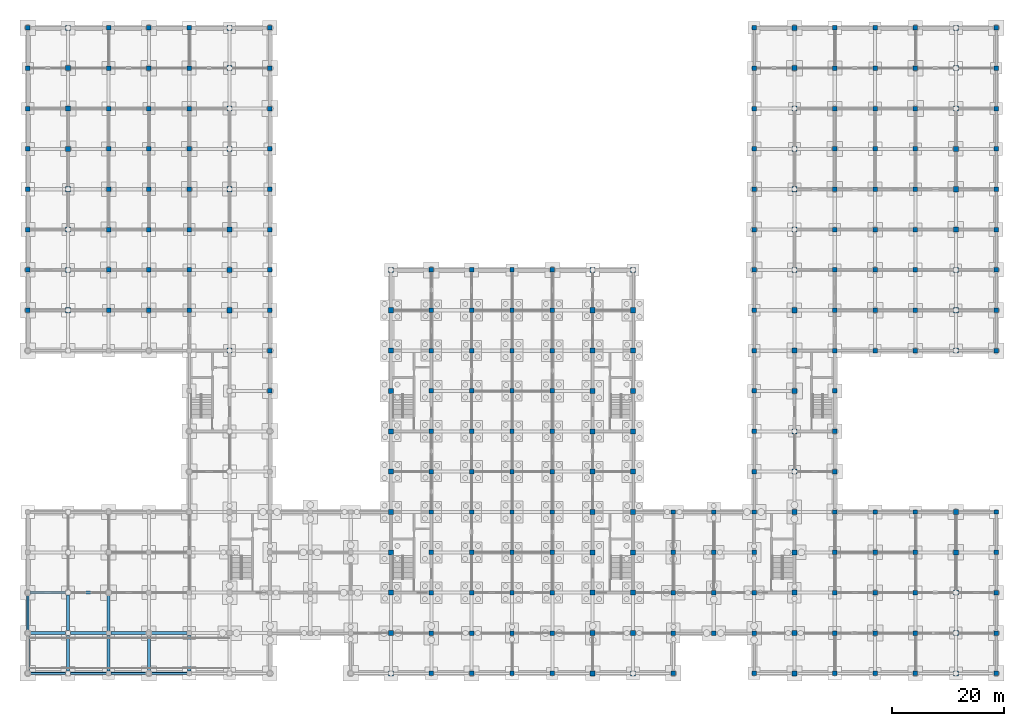
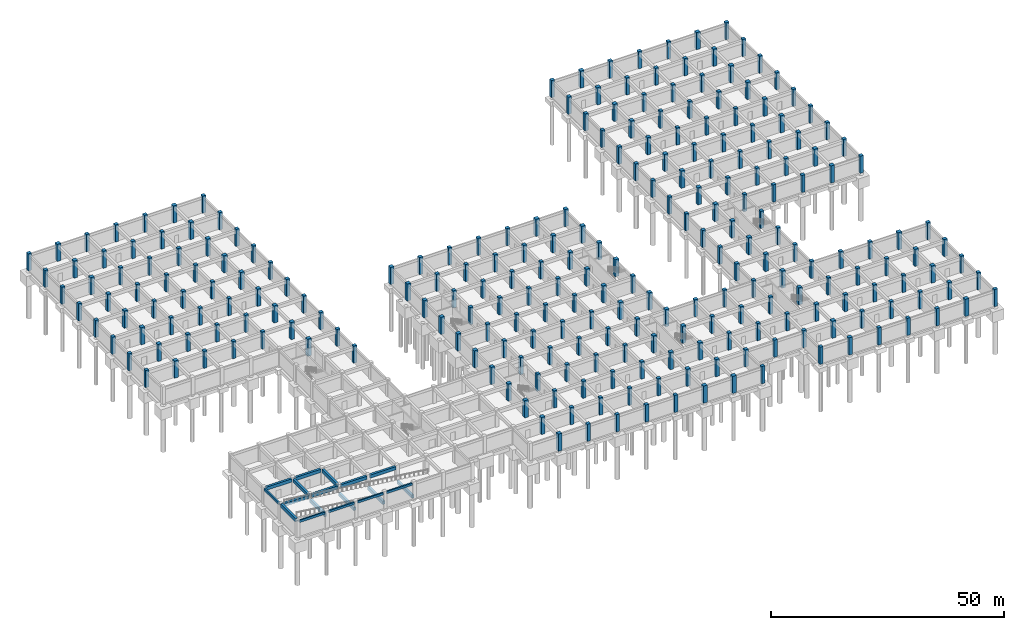
# One storey, part 8 of 25: 252 columns, 18 beams.
"""IFC4 building model written with IfcOpenShell, lengths in metres."""

from ifc_helpers import new_model, si_unit, direction, frame, origin, origin_2d, place, context, subcontext, project, spatial, rectangle, extrude, material, material_profile, profile_set, type_object, element, save


model = new_model("IFC4")

# Units and contexts
model_context = context("Model", 3, precision=1e-05, world=origin(), true_north=direction((0.0, 1.0)))
body_context = subcontext(model_context, "Body", "Model", "MODEL_VIEW")
ifc_project = project(units=[si_unit("LENGTHUNIT", "METRE"), si_unit("AREAUNIT", "SQUARE_METRE"), si_unit("VOLUMEUNIT", "CUBIC_METRE"), si_unit("PLANEANGLEUNIT", "RADIAN"), si_unit("MASSUNIT", "GRAM", prefix="KILO")], contexts=[model_context])

# Site, building, storey
site_placement = place(None, origin())
site = spatial("IfcSite", under=ifc_project, at=site_placement, CompositionType="ELEMENT")
building_placement = place(site_placement, origin())
building = spatial("IfcBuilding", under=site, at=building_placement, Name="Cendaluz Park School", CompositionType="ELEMENT")
storey_placement = place(building_placement, frame((0.0, 0.0, -4.5)))
storey = spatial("IfcBuildingStorey", under=building, at=storey_placement, Name="B1", CompositionType="ELEMENT", Elevation=-4.5)

# Columns
ifc_material = material(Name="Concrete C40/50", Category="concrete")
ifc_material_profile_1 = material_profile(ifc_material, rectangle(XDim=0.89990234375, YDim=0.89990234375, at=origin_2d()), Name="RC 900x900", Category="concrete")
ifc_profile_set_1 = profile_set([ifc_material_profile_1], Name="Concrete C40/50")
column_type_1 = type_object("IfcColumnType", Name="C-RC01", PredefinedType="COLUMN", material=ifc_profile_set_1)
for number, where, z_axis, x_axis, name in (
    (1, (7.199951171875, 64.800048828125, 0.0), (0.0, 0.0, 1.0), (1.0, 0.0, 0.0), "C-B1-CRC01-021"),
    (2, (7.199951171875, 72.0, 0.0), (0.0, 0.0, 1.0), (1.0, 0.0, 0.0), "C-B1-CRC01-022"),
    (3, (7.199951171875, 79.199951171875, 0.0), (0.0, 0.0, 1.0), (1.0, 0.0, 0.0), "C-B1-CRC01-023"),
    (4, (7.199951171875, 86.39990234375, 0.0), (0.0, 0.0, 1.0), (1.0, 0.0, 0.0), "C-B1-CRC01-024"),
    (5, (7.199951171875, 93.60009765625, 0.0), (0.0, 0.0, 1.0), (1.0, 0.0, 0.0), "C-B1-CRC01-025"),
    (6, (7.199951171875, 100.800048828125, 0.0), (0.0, 0.0, 1.0), (1.0, 0.0, 0.0), "C-B1-CRC01-026"),
    (7, (7.199951171875, 108.0, 0.0), (0.0, 0.0, 1.0), (1.0, 0.0, 0.0), "C-B1-CRC01-027"),
    (8, (7.199951171875, 115.199951171875, 0.0), (0.0, 0.0, 1.0), (1.0, 0.0, 0.0), "C-B1-CRC01-028"),
    (9, (36.0, 57.60009765625, 0.0), (0.0, 0.0, 1.0), (1.0, 0.0, 0.0), "C-B1-CRC01-082"),
    (10, (36.0, 64.800048828125, 0.0), (0.0, 0.0, 1.0), (1.0, 0.0, 0.0), "C-B1-CRC01-083"),
    (11, (36.0, 72.0, 0.0), (0.0, 0.0, 1.0), (1.0, 0.0, 0.0), "C-B1-CRC01-084"),
    (12, (36.0, 79.199951171875, 0.0), (0.0, 0.0, 1.0), (1.0, 0.0, 0.0), "C-B1-CRC01-085"),
    (13, (36.0, 86.39990234375, 0.0), (0.0, 0.0, 1.0), (1.0, 0.0, 0.0), "C-B1-CRC01-086"),
    (14, (36.0, 93.60009765625, 0.0), (0.0, 0.0, 1.0), (1.0, 0.0, 0.0), "C-B1-CRC01-087"),
    (15, (36.0, 100.800048828125, 0.0), (0.0, 0.0, 1.0), (1.0, 0.0, 0.0), "C-B1-CRC01-088"),
    (16, (36.0, 108.0, 0.0), (0.0, 0.0, 1.0), (1.0, 0.0, 0.0), "C-B1-CRC01-089"),
    (17, (36.0, 115.199951171875, 0.0), (0.0, 0.0, 1.0), (1.0, 0.0, 0.0), "C-B1-CRC01-090"),
    (18, (64.800048828125, 0.0, 0.0), (0.0, 0.0, 1.0), (1.0, 0.0, 0.0), "C-B1-CRC01-117"),
    (19, (64.800048828125, 7.199951171875, 0.0), (0.0, 0.0, 1.0), (1.0, 0.0, 0.0), "C-B1-CRC01-118"),
    (20, (64.800048828125, 14.39990234375, 0.0), (0.0, 0.0, 1.0), (1.0, 0.0, 0.0), "C-B1-CRC01-119"),
    (21, (64.800048828125, 21.60009765625, 0.0), (0.0, 0.0, 1.0), (1.0, 0.0, 0.0), "C-B1-CRC01-120"),
    (22, (64.800048828125, 28.800048828125, 0.0), (0.0, 0.0, 1.0), (1.0, 0.0, 0.0), "C-B1-CRC01-121"),
    (23, (64.800048828125, 36.0, 0.0), (0.0, 0.0, 1.0), (1.0, 0.0, 0.0), "C-B1-CRC01-122"),
    (24, (64.800048828125, 43.199951171875, 0.0), (0.0, 0.0, 1.0), (1.0, 0.0, 0.0), "C-B1-CRC01-123"),
    (25, (64.800048828125, 50.39990234375, 0.0), (0.0, 0.0, 1.0), (1.0, 0.0, 0.0), "C-B1-CRC01-124"),
    (26, (64.800048828125, 57.60009765625, 0.0), (0.0, 0.0, 1.0), (1.0, 0.0, 0.0), "C-B1-CRC01-125"),
    (27, (64.800048828125, 64.800048828125, 0.0), (0.0, 0.0, 1.0), (1.0, 0.0, 0.0), "C-B1-CRC01-126"),
    (28, (64.800048828125, 72.0, 0.0), (0.0, 0.0, 1.0), (1.0, 0.0, 0.0), "C-B1-CRC01-127"),
    (29, (100.800048828125, 0.0, 0.0), (0.0, 0.0, 1.0), (1.0, 0.0, 0.0), "C-B1-CRC01-172"),
    (30, (100.800048828125, 7.199951171875, 0.0), (0.0, 0.0, 1.0), (1.0, 0.0, 0.0), "C-B1-CRC01-173"),
    (31, (100.800048828125, 14.39990234375, 0.0), (0.0, 0.0, 1.0), (1.0, 0.0, 0.0), "C-B1-CRC01-174"),
    (32, (100.800048828125, 21.60009765625, 0.0), (0.0, 0.0, 1.0), (1.0, 0.0, 0.0), "C-B1-CRC01-175"),
    (33, (100.800048828125, 28.800048828125, 0.0), (0.0, 0.0, 1.0), (1.0, 0.0, 0.0), "C-B1-CRC01-176"),
    (34, (100.800048828125, 36.0, 0.0), (0.0, 0.0, 1.0), (1.0, 0.0, 0.0), "C-B1-CRC01-177"),
    (35, (100.800048828125, 43.199951171875, 0.0), (0.0, 0.0, 1.0), (1.0, 0.0, 0.0), "C-B1-CRC01-178"),
    (36, (100.800048828125, 50.39990234375, 0.0), (0.0, 0.0, 1.0), (1.0, 0.0, 0.0), "C-B1-CRC01-179"),
    (37, (100.800048828125, 57.60009765625, 0.0), (0.0, 0.0, 1.0), (1.0, 0.0, 0.0), "C-B1-CRC01-180"),
    (38, (100.800048828125, 64.800048828125, 0.0), (0.0, 0.0, 1.0), (1.0, 0.0, 0.0), "C-B1-CRC01-181"),
    (39, (100.800048828125, 72.0, 0.0), (0.0, 0.0, 1.0), (1.0, 0.0, 0.0), "C-B1-CRC01-182"),
    (40, (108.0, 0.0, 0.0), (0.0, 0.0, 1.0), (1.0, 0.0, 0.0), "C-B1-CRC01-183"),
    (41, (108.0, 7.199951171875, 0.0), (0.0, 0.0, 1.0), (1.0, 0.0, 0.0), "C-B1-CRC01-184"),
    (42, (108.0, 14.39990234375, 0.0), (0.0, 0.0, 1.0), (1.0, 0.0, 0.0), "C-B1-CRC01-185"),
    (43, (108.0, 21.60009765625, 0.0), (0.0, 0.0, 1.0), (1.0, 0.0, 0.0), "C-B1-CRC01-186"),
    (44, (108.0, 28.800048828125, 0.0), (0.0, 0.0, 1.0), (1.0, 0.0, 0.0), "C-B1-CRC01-187"),
    (45, (108.0, 36.0, 0.0), (0.0, 0.0, 1.0), (1.0, 0.0, 0.0), "C-B1-CRC01-188"),
    (46, (108.0, 43.199951171875, 0.0), (0.0, 0.0, 1.0), (1.0, 0.0, 0.0), "C-B1-CRC01-189"),
    (47, (108.0, 50.39990234375, 0.0), (0.0, 0.0, 1.0), (1.0, 0.0, 0.0), "C-B1-CRC01-190"),
    (48, (108.0, 57.60009765625, 0.0), (0.0, 0.0, 1.0), (1.0, 0.0, 0.0), "C-B1-CRC01-191"),
    (49, (108.0, 64.800048828125, 0.0), (0.0, 0.0, 1.0), (1.0, 0.0, 0.0), "C-B1-CRC01-192"),
    (50, (108.0, 72.0, 0.0), (0.0, 0.0, 1.0), (1.0, 0.0, 0.0), "C-B1-CRC01-193"),
    (51, (136.800048828125, 0.0, 0.0), (0.0, 0.0, 1.0), (1.0, 0.0, 0.0), "C-B1-CRC01-220"),
    (52, (136.800048828125, 7.199951171875, 0.0), (0.0, 0.0, 1.0), (1.0, 0.0, 0.0), "C-B1-CRC01-221"),
    (53, (136.800048828125, 14.39990234375, 0.0), (0.0, 0.0, 1.0), (1.0, 0.0, 0.0), "C-B1-CRC01-222"),
    (54, (136.800048828125, 21.60009765625, 0.0), (0.0, 0.0, 1.0), (1.0, 0.0, 0.0), "C-B1-CRC01-223"),
    (55, (136.800048828125, 28.800048828125, 0.0), (0.0, 0.0, 1.0), (1.0, 0.0, 0.0), "C-B1-CRC01-224"),
    (56, (136.800048828125, 36.0, 0.0), (0.0, 0.0, 1.0), (1.0, 0.0, 0.0), "C-B1-CRC01-225"),
    (57, (136.800048828125, 43.199951171875, 0.0), (0.0, 0.0, 1.0), (1.0, 0.0, 0.0), "C-B1-CRC01-226"),
    (58, (136.800048828125, 50.39990234375, 0.0), (0.0, 0.0, 1.0), (1.0, 0.0, 0.0), "C-B1-CRC01-227"),
    (59, (136.800048828125, 57.60009765625, 0.0), (0.0, 0.0, 1.0), (1.0, 0.0, 0.0), "C-B1-CRC01-228"),
    (60, (136.800048828125, 64.800048828125, 0.0), (0.0, 0.0, 1.0), (1.0, 0.0, 0.0), "C-B1-CRC01-229"),
    (61, (136.800048828125, 72.0, 0.0), (0.0, 0.0, 1.0), (1.0, 0.0, 0.0), "C-B1-CRC01-230"),
    (62, (136.800048828125, 79.199951171875, 0.0), (0.0, 0.0, 1.0), (1.0, 0.0, 0.0), "C-B1-CRC01-231"),
    (63, (136.800048828125, 86.39990234375, 0.0), (0.0, 0.0, 1.0), (1.0, 0.0, 0.0), "C-B1-CRC01-232"),
    (64, (136.800048828125, 93.60009765625, 0.0), (0.0, 0.0, 1.0), (1.0, 0.0, 0.0), "C-B1-CRC01-233"),
    (65, (136.800048828125, 100.800048828125, 0.0), (0.0, 0.0, 1.0), (1.0, 0.0, 0.0), "C-B1-CRC01-234"),
    (66, (136.800048828125, 108.0, 0.0), (0.0, 0.0, 1.0), (1.0, 0.0, 0.0), "C-B1-CRC01-235"),
    (67, (136.800048828125, 115.199951171875, 0.0), (0.0, 0.0, 1.0), (1.0, 0.0, 0.0), "C-B1-CRC01-236"),
    (68, (165.60009765625, 0.0, 0.0), (0.0, 0.0, 1.0), (1.0, 0.0, 0.0), "C-B1-CRC01-282"),
    (69, (165.60009765625, 7.199951171875, 0.0), (0.0, 0.0, 1.0), (1.0, 0.0, 0.0), "C-B1-CRC01-283"),
    (70, (165.60009765625, 14.39990234375, 0.0), (0.0, 0.0, 1.0), (1.0, 0.0, 0.0), "C-B1-CRC01-284"),
    (71, (165.60009765625, 21.60009765625, 0.0), (0.0, 0.0, 1.0), (1.0, 0.0, 0.0), "C-B1-CRC01-285"),
    (72, (165.60009765625, 28.800048828125, 0.0), (0.0, 0.0, 1.0), (1.0, 0.0, 0.0), "C-B1-CRC01-286"),
    (73, (165.60009765625, 57.60009765625, 0.0), (0.0, 0.0, 1.0), (1.0, 0.0, 0.0), "C-B1-CRC01-287"),
    (74, (165.60009765625, 64.800048828125, 0.0), (0.0, 0.0, 1.0), (1.0, 0.0, 0.0), "C-B1-CRC01-288"),
    (75, (165.60009765625, 72.0, 0.0), (0.0, 0.0, 1.0), (1.0, 0.0, 0.0), "C-B1-CRC01-289"),
    (76, (165.60009765625, 79.199951171875, 0.0), (0.0, 0.0, 1.0), (1.0, 0.0, 0.0), "C-B1-CRC01-290"),
    (77, (165.60009765625, 86.39990234375, 0.0), (0.0, 0.0, 1.0), (1.0, 0.0, 0.0), "C-B1-CRC01-291"),
    (78, (165.60009765625, 93.60009765625, 0.0), (0.0, 0.0, 1.0), (1.0, 0.0, 0.0), "C-B1-CRC01-292"),
    (79, (165.60009765625, 100.800048828125, 0.0), (0.0, 0.0, 1.0), (1.0, 0.0, 0.0), "C-B1-CRC01-293"),
    (80, (165.60009765625, 108.0, 0.0), (0.0, 0.0, 1.0), (1.0, 0.0, 0.0), "C-B1-CRC01-294"),
    (81, (165.60009765625, 115.199951171875, 0.0), (0.0, 0.0, 1.0), (1.0, 0.0, 0.0), "C-B1-CRC01-295"),
):
    element("IfcColumn", number, at=place(storey_placement, frame(where, z_axis=z_axis, x_axis=x_axis)), inside=storey, type_object=column_type_1, Name=name, PredefinedType="COLUMN", context=body_context, shape_type="SweptSolid", body=[
        extrude(rectangle(XDim=0.89990234375, YDim=0.89990234375, at=origin_2d()), origin(), (0.0, 0.0, 1.0), 4.5),
    ])
ifc_material_profile_2 = material_profile(ifc_material, rectangle(XDim=0.800048828125, YDim=0.800048828125, at=origin_2d()), Name="RC 800x800", Category="concrete")
ifc_profile_set_2 = profile_set([ifc_material_profile_2], Name="Concrete C40/50")
column_type_2 = type_object("IfcColumnType", Name="C-RC02", PredefinedType="COLUMN", material=ifc_profile_set_2)
for number, where, z_axis, x_axis, name in (
    (82, (0.0, 64.800048828125, 0.0), (0.0, 0.0, 1.0), (1.0, 0.0, 0.0), "C-B1-CRC02-007"),
    (83, (0.0, 72.0, 0.0), (0.0, 0.0, 1.0), (1.0, 0.0, 0.0), "C-B1-CRC02-008"),
    (84, (0.0, 79.199951171875, 0.0), (0.0, 0.0, 1.0), (1.0, 0.0, 0.0), "C-B1-CRC02-009"),
    (85, (0.0, 86.39990234375, 0.0), (0.0, 0.0, 1.0), (1.0, 0.0, 0.0), "C-B1-CRC02-010"),
    (86, (0.0, 93.60009765625, 0.0), (0.0, 0.0, 1.0), (1.0, 0.0, 0.0), "C-B1-CRC02-011"),
    (87, (0.0, 100.800048828125, 0.0), (0.0, 0.0, 1.0), (1.0, 0.0, 0.0), "C-B1-CRC02-012"),
    (88, (0.0, 108.0, 0.0), (0.0, 0.0, 1.0), (1.0, 0.0, 0.0), "C-B1-CRC02-013"),
    (89, (0.0, 115.199951171875, 0.0), (0.0, 0.0, 1.0), (1.0, 0.0, 0.0), "C-B1-CRC02-014"),
    (90, (14.39990234375, 64.800048828125, 0.0), (0.0, 0.0, 1.0), (1.0, 0.0, 0.0), "C-B1-CRC02-035"),
    (91, (14.39990234375, 72.0, 0.0), (0.0, 0.0, 1.0), (1.0, 0.0, 0.0), "C-B1-CRC02-036"),
    (92, (14.39990234375, 79.199951171875, 0.0), (0.0, 0.0, 1.0), (1.0, 0.0, 0.0), "C-B1-CRC02-037"),
    (93, (14.39990234375, 86.39990234375, 0.0), (0.0, 0.0, 1.0), (1.0, 0.0, 0.0), "C-B1-CRC02-038"),
    (94, (14.39990234375, 93.60009765625, 0.0), (0.0, 0.0, 1.0), (1.0, 0.0, 0.0), "C-B1-CRC02-039"),
    (95, (14.39990234375, 100.800048828125, 0.0), (0.0, 0.0, 1.0), (1.0, 0.0, 0.0), "C-B1-CRC02-040"),
    (96, (14.39990234375, 108.0, 0.0), (0.0, 0.0, 1.0), (1.0, 0.0, 0.0), "C-B1-CRC02-041"),
    (97, (14.39990234375, 115.199951171875, 0.0), (0.0, 0.0, 1.0), (1.0, 0.0, 0.0), "C-B1-CRC02-042"),
    (98, (21.60009765625, 64.800048828125, 0.0), (0.0, 0.0, 1.0), (1.0, 0.0, 0.0), "C-B1-CRC02-049"),
    (99, (21.60009765625, 72.0, 0.0), (0.0, 0.0, 1.0), (1.0, 0.0, 0.0), "C-B1-CRC02-050"),
    (100, (21.60009765625, 79.199951171875, 0.0), (0.0, 0.0, 1.0), (1.0, 0.0, 0.0), "C-B1-CRC02-051"),
    (101, (21.60009765625, 86.39990234375, 0.0), (0.0, 0.0, 1.0), (1.0, 0.0, 0.0), "C-B1-CRC02-052"),
    (102, (21.60009765625, 93.60009765625, 0.0), (0.0, 0.0, 1.0), (1.0, 0.0, 0.0), "C-B1-CRC02-053"),
    (103, (21.60009765625, 100.800048828125, 0.0), (0.0, 0.0, 1.0), (1.0, 0.0, 0.0), "C-B1-CRC02-054"),
    (104, (21.60009765625, 108.0, 0.0), (0.0, 0.0, 1.0), (1.0, 0.0, 0.0), "C-B1-CRC02-055"),
    (105, (21.60009765625, 115.199951171875, 0.0), (0.0, 0.0, 1.0), (1.0, 0.0, 0.0), "C-B1-CRC02-056"),
    (106, (28.800048828125, 64.800048828125, 0.0), (0.0, 0.0, 1.0), (1.0, 0.0, 0.0), "C-B1-CRC02-066"),
    (107, (28.800048828125, 72.0, 0.0), (0.0, 0.0, 1.0), (1.0, 0.0, 0.0), "C-B1-CRC02-067"),
    (108, (28.800048828125, 79.199951171875, 0.0), (0.0, 0.0, 1.0), (1.0, 0.0, 0.0), "C-B1-CRC02-068"),
    (109, (28.800048828125, 86.39990234375, 0.0), (0.0, 0.0, 1.0), (1.0, 0.0, 0.0), "C-B1-CRC02-069"),
    (110, (28.800048828125, 93.60009765625, 0.0), (0.0, 0.0, 1.0), (1.0, 0.0, 0.0), "C-B1-CRC02-070"),
    (111, (28.800048828125, 100.800048828125, 0.0), (0.0, 0.0, 1.0), (1.0, 0.0, 0.0), "C-B1-CRC02-071"),
    (112, (28.800048828125, 108.0, 0.0), (0.0, 0.0, 1.0), (1.0, 0.0, 0.0), "C-B1-CRC02-072"),
    (113, (28.800048828125, 115.199951171875, 0.0), (0.0, 0.0, 1.0), (1.0, 0.0, 0.0), "C-B1-CRC02-073"),
    (114, (43.199951171875, 50.39990234375, 0.0), (0.0, 0.0, 1.0), (1.0, 0.0, 0.0), "C-B1-CRC02-098"),
    (115, (43.199951171875, 57.60009765625, 0.0), (0.0, 0.0, 1.0), (1.0, 0.0, 0.0), "C-B1-CRC02-099"),
    (116, (43.199951171875, 64.800048828125, 0.0), (0.0, 0.0, 1.0), (1.0, 0.0, 0.0), "C-B1-CRC02-100"),
    (117, (43.199951171875, 72.0, 0.0), (0.0, 0.0, 1.0), (1.0, 0.0, 0.0), "C-B1-CRC02-101"),
    (118, (43.199951171875, 79.199951171875, 0.0), (0.0, 0.0, 1.0), (1.0, 0.0, 0.0), "C-B1-CRC02-102"),
    (119, (43.199951171875, 86.39990234375, 0.0), (0.0, 0.0, 1.0), (1.0, 0.0, 0.0), "C-B1-CRC02-103"),
    (120, (43.199951171875, 93.60009765625, 0.0), (0.0, 0.0, 1.0), (1.0, 0.0, 0.0), "C-B1-CRC02-104"),
    (121, (43.199951171875, 100.800048828125, 0.0), (0.0, 0.0, 1.0), (1.0, 0.0, 0.0), "C-B1-CRC02-105"),
    (122, (43.199951171875, 108.0, 0.0), (0.0, 0.0, 1.0), (1.0, 0.0, 0.0), "C-B1-CRC02-106"),
    (123, (43.199951171875, 115.199951171875, 0.0), (0.0, 0.0, 1.0), (1.0, 0.0, 0.0), "C-B1-CRC02-107"),
    (124, (72.0, 0.0, 0.0), (0.0, 0.0, 1.0), (1.0, 0.0, 0.0), "C-B1-CRC02-128"),
    (125, (72.0, 7.199951171875, 0.0), (0.0, 0.0, 1.0), (1.0, 0.0, 0.0), "C-B1-CRC02-129"),
    (126, (72.0, 14.39990234375, 0.0), (0.0, 0.0, 1.0), (1.0, 0.0, 0.0), "C-B1-CRC02-130"),
    (127, (72.0, 21.60009765625, 0.0), (0.0, 0.0, 1.0), (1.0, 0.0, 0.0), "C-B1-CRC02-131"),
    (128, (72.0, 28.800048828125, 0.0), (0.0, 0.0, 1.0), (1.0, 0.0, 0.0), "C-B1-CRC02-132"),
    (129, (72.0, 36.0, 0.0), (0.0, 0.0, 1.0), (1.0, 0.0, 0.0), "C-B1-CRC02-133"),
    (130, (72.0, 43.199951171875, 0.0), (0.0, 0.0, 1.0), (1.0, 0.0, 0.0), "C-B1-CRC02-134"),
    (131, (72.0, 50.39990234375, 0.0), (0.0, 0.0, 1.0), (1.0, 0.0, 0.0), "C-B1-CRC02-135"),
    (132, (72.0, 57.60009765625, 0.0), (0.0, 0.0, 1.0), (1.0, 0.0, 0.0), "C-B1-CRC02-136"),
    (133, (72.0, 64.800048828125, 0.0), (0.0, 0.0, 1.0), (1.0, 0.0, 0.0), "C-B1-CRC02-137"),
    (134, (72.0, 72.0, 0.0), (0.0, 0.0, 1.0), (1.0, 0.0, 0.0), "C-B1-CRC02-138"),
    (135, (79.199951171875, 0.0, 0.0), (0.0, 0.0, 1.0), (1.0, 0.0, 0.0), "C-B1-CRC02-139"),
    (136, (79.199951171875, 7.199951171875, 0.0), (0.0, 0.0, 1.0), (1.0, 0.0, 0.0), "C-B1-CRC02-140"),
    (137, (79.199951171875, 14.39990234375, 0.0), (0.0, 0.0, 1.0), (1.0, 0.0, 0.0), "C-B1-CRC02-141"),
    (138, (79.199951171875, 21.60009765625, 0.0), (0.0, 0.0, 1.0), (1.0, 0.0, 0.0), "C-B1-CRC02-142"),
    (139, (79.199951171875, 28.800048828125, 0.0), (0.0, 0.0, 1.0), (1.0, 0.0, 0.0), "C-B1-CRC02-143"),
    (140, (79.199951171875, 36.0, 0.0), (0.0, 0.0, 1.0), (1.0, 0.0, 0.0), "C-B1-CRC02-144"),
    (141, (79.199951171875, 43.199951171875, 0.0), (0.0, 0.0, 1.0), (1.0, 0.0, 0.0), "C-B1-CRC02-145"),
    (142, (79.199951171875, 50.39990234375, 0.0), (0.0, 0.0, 1.0), (1.0, 0.0, 0.0), "C-B1-CRC02-146"),
    (143, (79.199951171875, 57.60009765625, 0.0), (0.0, 0.0, 1.0), (1.0, 0.0, 0.0), "C-B1-CRC02-147"),
    (144, (79.199951171875, 64.800048828125, 0.0), (0.0, 0.0, 1.0), (1.0, 0.0, 0.0), "C-B1-CRC02-148"),
    (145, (79.199951171875, 72.0, 0.0), (0.0, 0.0, 1.0), (1.0, 0.0, 0.0), "C-B1-CRC02-149"),
    (146, (86.39990234375, 0.0, 0.0), (0.0, 0.0, 1.0), (1.0, 0.0, 0.0), "C-B1-CRC02-150"),
    (147, (86.39990234375, 7.199951171875, 0.0), (0.0, 0.0, 1.0), (1.0, 0.0, 0.0), "C-B1-CRC02-151"),
    (148, (86.39990234375, 14.39990234375, 0.0), (0.0, 0.0, 1.0), (1.0, 0.0, 0.0), "C-B1-CRC02-152"),
    (149, (86.39990234375, 21.60009765625, 0.0), (0.0, 0.0, 1.0), (1.0, 0.0, 0.0), "C-B1-CRC02-153"),
    (150, (86.39990234375, 28.800048828125, 0.0), (0.0, 0.0, 1.0), (1.0, 0.0, 0.0), "C-B1-CRC02-154"),
    (151, (86.39990234375, 36.0, 0.0), (0.0, 0.0, 1.0), (1.0, 0.0, 0.0), "C-B1-CRC02-155"),
    (152, (86.39990234375, 43.199951171875, 0.0), (0.0, 0.0, 1.0), (1.0, 0.0, 0.0), "C-B1-CRC02-156"),
    (153, (86.39990234375, 50.39990234375, 0.0), (0.0, 0.0, 1.0), (1.0, 0.0, 0.0), "C-B1-CRC02-157"),
    (154, (86.39990234375, 57.60009765625, 0.0), (0.0, 0.0, 1.0), (1.0, 0.0, 0.0), "C-B1-CRC02-158"),
    (155, (86.39990234375, 64.800048828125, 0.0), (0.0, 0.0, 1.0), (1.0, 0.0, 0.0), "C-B1-CRC02-159"),
    (156, (86.39990234375, 72.0, 0.0), (0.0, 0.0, 1.0), (1.0, 0.0, 0.0), "C-B1-CRC02-160"),
    (157, (93.60009765625, 0.0, 0.0), (0.0, 0.0, 1.0), (1.0, 0.0, 0.0), "C-B1-CRC02-161"),
    (158, (93.60009765625, 7.199951171875, 0.0), (0.0, 0.0, 1.0), (1.0, 0.0, 0.0), "C-B1-CRC02-162"),
    (159, (93.60009765625, 14.39990234375, 0.0), (0.0, 0.0, 1.0), (1.0, 0.0, 0.0), "C-B1-CRC02-163"),
    (160, (93.60009765625, 21.60009765625, 0.0), (0.0, 0.0, 1.0), (1.0, 0.0, 0.0), "C-B1-CRC02-164"),
    (161, (93.60009765625, 28.800048828125, 0.0), (0.0, 0.0, 1.0), (1.0, 0.0, 0.0), "C-B1-CRC02-165"),
    (162, (93.60009765625, 36.0, 0.0), (0.0, 0.0, 1.0), (1.0, 0.0, 0.0), "C-B1-CRC02-166"),
    (163, (93.60009765625, 43.199951171875, 0.0), (0.0, 0.0, 1.0), (1.0, 0.0, 0.0), "C-B1-CRC02-167"),
    (164, (93.60009765625, 50.39990234375, 0.0), (0.0, 0.0, 1.0), (1.0, 0.0, 0.0), "C-B1-CRC02-168"),
    (165, (93.60009765625, 57.60009765625, 0.0), (0.0, 0.0, 1.0), (1.0, 0.0, 0.0), "C-B1-CRC02-169"),
    (166, (93.60009765625, 64.800048828125, 0.0), (0.0, 0.0, 1.0), (1.0, 0.0, 0.0), "C-B1-CRC02-170"),
    (167, (93.60009765625, 72.0, 0.0), (0.0, 0.0, 1.0), (1.0, 0.0, 0.0), "C-B1-CRC02-171"),
    (168, (115.199951171875, 0.0, 0.0), (0.0, 0.0, 1.0), (1.0, 0.0, 0.0), "C-B1-CRC02-194"),
    (169, (115.199951171875, 7.199951171875, 0.0), (0.0, 0.0, 1.0), (1.0, 0.0, 0.0), "C-B1-CRC02-195"),
    (170, (115.199951171875, 14.39990234375, 0.0), (0.0, 0.0, 1.0), (1.0, 0.0, 0.0), "C-B1-CRC02-196"),
    (171, (115.199951171875, 21.60009765625, 0.0), (0.0, 0.0, 1.0), (1.0, 0.0, 0.0), "C-B1-CRC02-197"),
    (172, (115.199951171875, 28.800048828125, 0.0), (0.0, 0.0, 1.0), (1.0, 0.0, 0.0), "C-B1-CRC02-198"),
    (173, (122.39990234375, 7.199951171875, 0.0), (0.0, 0.0, 1.0), (1.0, 0.0, 0.0), "C-B1-CRC02-199"),
    (174, (122.39990234375, 14.39990234375, 0.0), (0.0, 0.0, 1.0), (1.0, 0.0, 0.0), "C-B1-CRC02-200"),
    (175, (122.39990234375, 21.60009765625, 0.0), (0.0, 0.0, 1.0), (1.0, 0.0, 0.0), "C-B1-CRC02-201"),
    (176, (122.39990234375, 28.800048828125, 0.0), (0.0, 0.0, 1.0), (1.0, 0.0, 0.0), "C-B1-CRC02-202"),
    (177, (129.60009765625, 0.0, 0.0), (0.0, 0.0, 1.0), (1.0, 0.0, 0.0), "C-B1-CRC02-203"),
    (178, (129.60009765625, 7.199951171875, 0.0), (0.0, 0.0, 1.0), (1.0, 0.0, 0.0), "C-B1-CRC02-204"),
    (179, (129.60009765625, 14.39990234375, 0.0), (0.0, 0.0, 1.0), (1.0, 0.0, 0.0), "C-B1-CRC02-205"),
    (180, (129.60009765625, 21.60009765625, 0.0), (0.0, 0.0, 1.0), (1.0, 0.0, 0.0), "C-B1-CRC02-206"),
    (181, (129.60009765625, 28.800048828125, 0.0), (0.0, 0.0, 1.0), (1.0, 0.0, 0.0), "C-B1-CRC02-207"),
    (182, (129.60009765625, 36.0, 0.0), (0.0, 0.0, 1.0), (1.0, 0.0, 0.0), "C-B1-CRC02-208"),
    (183, (129.60009765625, 43.199951171875, 0.0), (0.0, 0.0, 1.0), (1.0, 0.0, 0.0), "C-B1-CRC02-209"),
    (184, (129.60009765625, 50.39990234375, 0.0), (0.0, 0.0, 1.0), (1.0, 0.0, 0.0), "C-B1-CRC02-210"),
    (185, (129.60009765625, 57.60009765625, 0.0), (0.0, 0.0, 1.0), (1.0, 0.0, 0.0), "C-B1-CRC02-211"),
    (186, (129.60009765625, 64.800048828125, 0.0), (0.0, 0.0, 1.0), (1.0, 0.0, 0.0), "C-B1-CRC02-212"),
    (187, (129.60009765625, 72.0, 0.0), (0.0, 0.0, 1.0), (1.0, 0.0, 0.0), "C-B1-CRC02-213"),
    (188, (129.60009765625, 79.199951171875, 0.0), (0.0, 0.0, 1.0), (1.0, 0.0, 0.0), "C-B1-CRC02-214"),
    (189, (129.60009765625, 86.39990234375, 0.0), (0.0, 0.0, 1.0), (1.0, 0.0, 0.0), "C-B1-CRC02-215"),
    (190, (129.60009765625, 93.60009765625, 0.0), (0.0, 0.0, 1.0), (1.0, 0.0, 0.0), "C-B1-CRC02-216"),
    (191, (129.60009765625, 100.800048828125, 0.0), (0.0, 0.0, 1.0), (1.0, 0.0, 0.0), "C-B1-CRC02-217"),
    (192, (129.60009765625, 108.0, 0.0), (0.0, 0.0, 1.0), (1.0, 0.0, 0.0), "C-B1-CRC02-218"),
    (193, (129.60009765625, 115.199951171875, 0.0), (0.0, 0.0, 1.0), (1.0, 0.0, 0.0), "C-B1-CRC02-219"),
    (194, (144.0, 0.0, 0.0), (0.0, 0.0, 1.0), (1.0, 0.0, 0.0), "C-B1-CRC02-237"),
    (195, (144.0, 7.199951171875, 0.0), (0.0, 0.0, 1.0), (1.0, 0.0, 0.0), "C-B1-CRC02-238"),
    (196, (144.0, 14.39990234375, 0.0), (0.0, 0.0, 1.0), (1.0, 0.0, 0.0), "C-B1-CRC02-239"),
    (197, (144.0, 21.60009765625, 0.0), (0.0, 0.0, 1.0), (1.0, 0.0, 0.0), "C-B1-CRC02-240"),
    (198, (144.0, 28.800048828125, 0.0), (0.0, 0.0, 1.0), (1.0, 0.0, 0.0), "C-B1-CRC02-241"),
    (199, (144.0, 36.0, 0.0), (0.0, 0.0, 1.0), (1.0, 0.0, 0.0), "C-B1-CRC02-242"),
    (200, (144.0, 43.199951171875, 0.0), (0.0, 0.0, 1.0), (1.0, 0.0, 0.0), "C-B1-CRC02-243"),
    (201, (144.0, 50.39990234375, 0.0), (0.0, 0.0, 1.0), (1.0, 0.0, 0.0), "C-B1-CRC02-244"),
    (202, (144.0, 57.60009765625, 0.0), (0.0, 0.0, 1.0), (1.0, 0.0, 0.0), "C-B1-CRC02-245"),
    (203, (144.0, 64.800048828125, 0.0), (0.0, 0.0, 1.0), (1.0, 0.0, 0.0), "C-B1-CRC02-246"),
    (204, (144.0, 72.0, 0.0), (0.0, 0.0, 1.0), (1.0, 0.0, 0.0), "C-B1-CRC02-247"),
    (205, (144.0, 79.199951171875, 0.0), (0.0, 0.0, 1.0), (1.0, 0.0, 0.0), "C-B1-CRC02-248"),
    (206, (144.0, 86.39990234375, 0.0), (0.0, 0.0, 1.0), (1.0, 0.0, 0.0), "C-B1-CRC02-249"),
    (207, (144.0, 93.60009765625, 0.0), (0.0, 0.0, 1.0), (1.0, 0.0, 0.0), "C-B1-CRC02-250"),
    (208, (144.0, 100.800048828125, 0.0), (0.0, 0.0, 1.0), (1.0, 0.0, 0.0), "C-B1-CRC02-251"),
    (209, (144.0, 108.0, 0.0), (0.0, 0.0, 1.0), (1.0, 0.0, 0.0), "C-B1-CRC02-252"),
    (210, (144.0, 115.199951171875, 0.0), (0.0, 0.0, 1.0), (1.0, 0.0, 0.0), "C-B1-CRC02-253"),
    (211, (151.199951171875, 0.0, 0.0), (0.0, 0.0, 1.0), (1.0, 0.0, 0.0), "C-B1-CRC02-254"),
    (212, (151.199951171875, 7.199951171875, 0.0), (0.0, 0.0, 1.0), (1.0, 0.0, 0.0), "C-B1-CRC02-255"),
    (213, (151.199951171875, 14.39990234375, 0.0), (0.0, 0.0, 1.0), (1.0, 0.0, 0.0), "C-B1-CRC02-256"),
    (214, (151.199951171875, 21.60009765625, 0.0), (0.0, 0.0, 1.0), (1.0, 0.0, 0.0), "C-B1-CRC02-257"),
    (215, (151.199951171875, 28.800048828125, 0.0), (0.0, 0.0, 1.0), (1.0, 0.0, 0.0), "C-B1-CRC02-258"),
    (216, (151.199951171875, 57.60009765625, 0.0), (0.0, 0.0, 1.0), (1.0, 0.0, 0.0), "C-B1-CRC02-259"),
    (217, (151.199951171875, 64.800048828125, 0.0), (0.0, 0.0, 1.0), (1.0, 0.0, 0.0), "C-B1-CRC02-260"),
    (218, (151.199951171875, 72.0, 0.0), (0.0, 0.0, 1.0), (1.0, 0.0, 0.0), "C-B1-CRC02-261"),
    (219, (151.199951171875, 79.199951171875, 0.0), (0.0, 0.0, 1.0), (1.0, 0.0, 0.0), "C-B1-CRC02-262"),
    (220, (151.199951171875, 86.39990234375, 0.0), (0.0, 0.0, 1.0), (1.0, 0.0, 0.0), "C-B1-CRC02-263"),
    (221, (151.199951171875, 93.60009765625, 0.0), (0.0, 0.0, 1.0), (1.0, 0.0, 0.0), "C-B1-CRC02-264"),
    (222, (151.199951171875, 100.800048828125, 0.0), (0.0, 0.0, 1.0), (1.0, 0.0, 0.0), "C-B1-CRC02-265"),
    (223, (151.199951171875, 108.0, 0.0), (0.0, 0.0, 1.0), (1.0, 0.0, 0.0), "C-B1-CRC02-266"),
    (224, (151.199951171875, 115.199951171875, 0.0), (0.0, 0.0, 1.0), (1.0, 0.0, 0.0), "C-B1-CRC02-267"),
    (225, (158.39990234375, 0.0, 0.0), (0.0, 0.0, 1.0), (1.0, 0.0, 0.0), "C-B1-CRC02-268"),
    (226, (158.39990234375, 7.199951171875, 0.0), (0.0, 0.0, 1.0), (1.0, 0.0, 0.0), "C-B1-CRC02-269"),
    (227, (158.39990234375, 14.39990234375, 0.0), (0.0, 0.0, 1.0), (1.0, 0.0, 0.0), "C-B1-CRC02-270"),
    (228, (158.39990234375, 21.60009765625, 0.0), (0.0, 0.0, 1.0), (1.0, 0.0, 0.0), "C-B1-CRC02-271"),
    (229, (158.39990234375, 28.800048828125, 0.0), (0.0, 0.0, 1.0), (1.0, 0.0, 0.0), "C-B1-CRC02-272"),
    (230, (158.39990234375, 57.60009765625, 0.0), (0.0, 0.0, 1.0), (1.0, 0.0, 0.0), "C-B1-CRC02-273"),
    (231, (158.39990234375, 64.800048828125, 0.0), (0.0, 0.0, 1.0), (1.0, 0.0, 0.0), "C-B1-CRC02-274"),
    (232, (158.39990234375, 72.0, 0.0), (0.0, 0.0, 1.0), (1.0, 0.0, 0.0), "C-B1-CRC02-275"),
    (233, (158.39990234375, 79.199951171875, 0.0), (0.0, 0.0, 1.0), (1.0, 0.0, 0.0), "C-B1-CRC02-276"),
    (234, (158.39990234375, 86.39990234375, 0.0), (0.0, 0.0, 1.0), (1.0, 0.0, 0.0), "C-B1-CRC02-277"),
    (235, (158.39990234375, 93.60009765625, 0.0), (0.0, 0.0, 1.0), (1.0, 0.0, 0.0), "C-B1-CRC02-278"),
    (236, (158.39990234375, 100.800048828125, 0.0), (0.0, 0.0, 1.0), (1.0, 0.0, 0.0), "C-B1-CRC02-279"),
    (237, (158.39990234375, 108.0, 0.0), (0.0, 0.0, 1.0), (1.0, 0.0, 0.0), "C-B1-CRC02-280"),
    (238, (158.39990234375, 115.199951171875, 0.0), (0.0, 0.0, 1.0), (1.0, 0.0, 0.0), "C-B1-CRC02-281"),
    (239, (172.800048828125, 0.0, 0.0), (0.0, 0.0, 1.0), (1.0, 0.0, 0.0), "C-B1-CRC02-296"),
    (240, (172.800048828125, 7.199951171875, 0.0), (0.0, 0.0, 1.0), (1.0, 0.0, 0.0), "C-B1-CRC02-297"),
    (241, (172.800048828125, 14.39990234375, 0.0), (0.0, 0.0, 1.0), (1.0, 0.0, 0.0), "C-B1-CRC02-298"),
    (242, (172.800048828125, 21.60009765625, 0.0), (0.0, 0.0, 1.0), (1.0, 0.0, 0.0), "C-B1-CRC02-299"),
    (243, (172.800048828125, 28.800048828125, 0.0), (0.0, 0.0, 1.0), (1.0, 0.0, 0.0), "C-B1-CRC02-300"),
    (244, (172.800048828125, 57.60009765625, 0.0), (0.0, 0.0, 1.0), (1.0, 0.0, 0.0), "C-B1-CRC02-301"),
    (245, (172.800048828125, 64.800048828125, 0.0), (0.0, 0.0, 1.0), (1.0, 0.0, 0.0), "C-B1-CRC02-302"),
    (246, (172.800048828125, 72.0, 0.0), (0.0, 0.0, 1.0), (1.0, 0.0, 0.0), "C-B1-CRC02-303"),
    (247, (172.800048828125, 79.199951171875, 0.0), (0.0, 0.0, 1.0), (1.0, 0.0, 0.0), "C-B1-CRC02-304"),
    (248, (172.800048828125, 86.39990234375, 0.0), (0.0, 0.0, 1.0), (1.0, 0.0, 0.0), "C-B1-CRC02-305"),
    (249, (172.800048828125, 93.60009765625, 0.0), (0.0, 0.0, 1.0), (1.0, 0.0, 0.0), "C-B1-CRC02-306"),
    (250, (172.800048828125, 100.800048828125, 0.0), (0.0, 0.0, 1.0), (1.0, 0.0, 0.0), "C-B1-CRC02-307"),
    (251, (172.800048828125, 108.0, 0.0), (0.0, 0.0, 1.0), (1.0, 0.0, 0.0), "C-B1-CRC02-308"),
    (252, (172.800048828125, 115.199951171875, 0.0), (0.0, 0.0, 1.0), (1.0, 0.0, 0.0), "C-B1-CRC02-309"),
):
    element("IfcColumn", number, at=place(storey_placement, frame(where, z_axis=z_axis, x_axis=x_axis)), inside=storey, type_object=column_type_2, Name=name, PredefinedType="COLUMN", context=body_context, shape_type="SweptSolid", body=[
        extrude(rectangle(XDim=0.800048828125, YDim=0.800048828125, at=origin_2d()), origin(), (0.0, 0.0, 1.0), 4.5),
    ])

# Beams
ifc_material_profile_3 = material_profile(ifc_material, rectangle(XDim=0.550048828125, YDim=0.85009765625, at=origin_2d()), Name="RC 550x850", Category="concrete")
ifc_profile_set_3 = profile_set([ifc_material_profile_3], Name="Concrete C40/50")
beam_type_1 = type_object("IfcBeamType", Name="BM-RC01", PredefinedType="BEAM", material=ifc_profile_set_3)
for number, where, z_axis, x_axis, name in (
    (253, (0.39990234375, 7.199951171875, 3.72509765625), (1.0, 0.0, 0.0), (0.0, 1.0, 0.0), "BM-B1-BMRC01-0002"),
    (254, (0.39990234375, 14.39990234375, 3.72509765625), (1.0, 0.0, 0.0), (0.0, 1.0, 0.0), "BM-B1-BMRC01-0003"),
    (255, (7.64990234375, 7.199951171875, 3.72509765625), (1.0, 0.0, 0.0), (0.0, 1.0, 0.0), "BM-B1-BMRC01-0016"),
    (256, (7.64990234375, 14.39990234375, 3.72509765625), (1.0, 0.0, 0.0), (0.0, 1.0, 0.0), "BM-B1-BMRC01-0017"),
):
    element("IfcBeam", number, at=place(storey_placement, frame(where, z_axis=z_axis, x_axis=x_axis)), inside=storey, type_object=beam_type_1, Name=name, PredefinedType="BEAM", context=body_context, shape_type="SweptSolid", body=[
        extrude(rectangle(XDim=0.550048828125, YDim=0.85009765625, at=origin_2d()), origin(), (0.0, 0.0, 1.0), 6.35009765625),
    ])
for number, where, z_axis, x_axis, name in (
    (257, (14.800048828125, 7.199951171875, 3.72509765625), (1.0, 0.0, 0.0), (0.0, 1.0, 0.0), "BM-B1-BMRC01-0030"),
    (258, (22.0, 7.199951171875, 3.72509765625), (1.0, 0.0, 0.0), (0.0, 1.0, 0.0), "BM-B1-BMRC01-0044"),
):
    element("IfcBeam", number, at=place(storey_placement, frame(where, z_axis=z_axis, x_axis=x_axis)), inside=storey, type_object=beam_type_1, Name=name, PredefinedType="BEAM", context=body_context, shape_type="SweptSolid", body=[
        extrude(rectangle(XDim=0.550048828125, YDim=0.85009765625, at=origin_2d()), origin(), (0.0, 0.0, 1.0), 6.39990234375),
    ])
for number, where, z_axis, x_axis, name in (
    (259, (7.199951171875, 0.449951171875, 2.837890625), (0.0, 1.0, 0.0), (-1.0, 0.0, 0.0), "BM-B1-BMRC01-0276"),
    (260, (7.199951171875, 7.64990234375, 3.72509765625), (0.0, 1.0, 0.0), (-1.0, 0.0, 0.0), "BM-B1-BMRC01-0277"),
):
    element("IfcBeam", number, at=place(storey_placement, frame(where, z_axis=z_axis, x_axis=x_axis)), inside=storey, type_object=beam_type_1, Name=name, PredefinedType="BEAM", context=body_context, shape_type="SweptSolid", body=[
        extrude(rectangle(XDim=0.550048828125, YDim=0.85009765625, at=origin_2d()), origin(), (0.0, 0.0, 1.0), 6.300048828125),
    ])
beam_1_placement = place(storey_placement, frame((14.39990234375, 0.39990234375, 1.93798828125), z_axis=(0.0, 1.0, 0.0), x_axis=(-1.0, 0.0, 0.0)))
element("IfcBeam", 261, at=beam_1_placement, inside=storey, type_object=beam_type_1, Name="BM-B1-BMRC01-0288", PredefinedType="BEAM", context=body_context, shape_type="SweptSolid", body=[
    extrude(rectangle(XDim=0.550048828125, YDim=0.85009765625, at=origin_2d()), origin(), (0.0, 0.0, 1.0), 6.400146484375),
])
beam_2_placement = place(storey_placement, frame((14.39990234375, 7.60009765625, 3.72509765625), z_axis=(0.0, 1.0, 0.0), x_axis=(-1.0, 0.0, 0.0)))
element("IfcBeam", 262, at=beam_2_placement, inside=storey, type_object=beam_type_1, Name="BM-B1-BMRC01-0289", PredefinedType="BEAM", context=body_context, shape_type="SweptSolid", body=[
    extrude(rectangle(XDim=0.550048828125, YDim=0.85009765625, at=origin_2d()), origin(), (0.0, 0.0, 1.0), 6.39990234375),
])
for number, where, z_axis, x_axis, name in (
    (263, (21.60009765625, 0.39990234375, 1.0380859375), (0.0, 1.0, 0.0), (-1.0, 0.0, 0.0), "BM-B1-BMRC01-0300"),
    (264, (28.800048828125, 0.39990234375, 0.137939453125), (0.0, 1.0, 0.0), (-1.0, 0.0, 0.0), "BM-B1-BMRC01-0312"),
    (265, (0.0, 0.39990234375, 4.074951171875), (0.0, 1.0, 0.0), (-1.0, 0.0, 0.0), "BM-B1-BMRC01-0540"),
):
    element("IfcBeam", number, at=place(storey_placement, frame(where, z_axis=z_axis, x_axis=x_axis)), inside=storey, type_object=beam_type_1, Name=name, PredefinedType="BEAM", context=body_context, shape_type="SweptSolid", body=[
        extrude(rectangle(XDim=0.550048828125, YDim=0.85009765625, at=origin_2d()), origin(), (0.0, 0.0, 1.0), 6.400146484375),
    ])
ifc_material_profile_4 = material_profile(ifc_material, rectangle(XDim=0.35009765625, YDim=0.580078125, at=origin_2d()), Name="RC 350x580", Category="concrete")
ifc_profile_set_4 = profile_set([ifc_material_profile_4], Name="Concrete C40/50")
beam_type_2 = type_object("IfcBeamType", Name="BM-RC04", PredefinedType="LINTEL", material=ifc_profile_set_4)
for number, where, z_axis, x_axis, name in (
    (266, (0.39990234375, 0.0, 3.860107421875), (1.0, 0.0, 0.0), (0.0, 1.0, 0.0), "BM-B1-BMRC04-0001"),
    (267, (7.64990234375, 0.0, 3.860107421875), (1.0, 0.0, 0.0), (0.0, 1.0, 0.0), "BM-B1-BMRC04-0015"),
):
    element("IfcBeam", number, at=place(storey_placement, frame(where, z_axis=z_axis, x_axis=x_axis)), inside=storey, type_object=beam_type_2, Name=name, PredefinedType="LINTEL", context=body_context, shape_type="SweptSolid", body=[
        extrude(rectangle(XDim=0.35009765625, YDim=0.580078125, at=origin_2d()), origin(), (0.0, 0.0, 1.0), 6.35009765625),
    ])
for number, where, z_axis, x_axis, name in (
    (268, (14.800048828125, 0.0, 3.860107421875), (1.0, 0.0, 0.0), (0.0, 1.0, 0.0), "BM-B1-BMRC04-0029"),
    (269, (22.0, 0.0, 3.860107421875), (1.0, 0.0, 0.0), (0.0, 1.0, 0.0), "BM-B1-BMRC04-0043"),
    (270, (0.0, 7.60009765625, 3.860107421875), (0.0, 1.0, 0.0), (-1.0, 0.0, 0.0), "BM-B1-BMRC04-0265"),
):
    element("IfcBeam", number, at=place(storey_placement, frame(where, z_axis=z_axis, x_axis=x_axis)), inside=storey, type_object=beam_type_2, Name=name, PredefinedType="LINTEL", context=body_context, shape_type="SweptSolid", body=[
        extrude(rectangle(XDim=0.35009765625, YDim=0.580078125, at=origin_2d()), origin(), (0.0, 0.0, 1.0), 6.39990234375),
    ])

save(model, "model.ifc")
